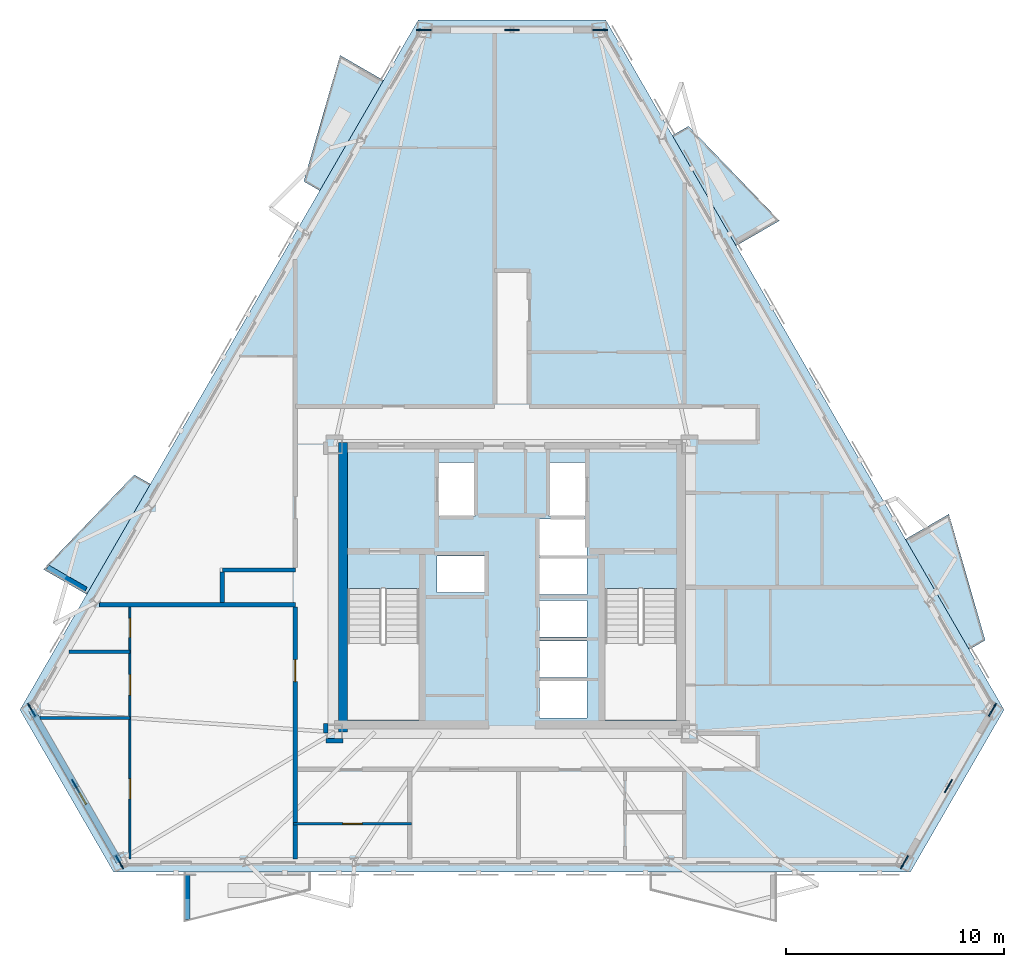
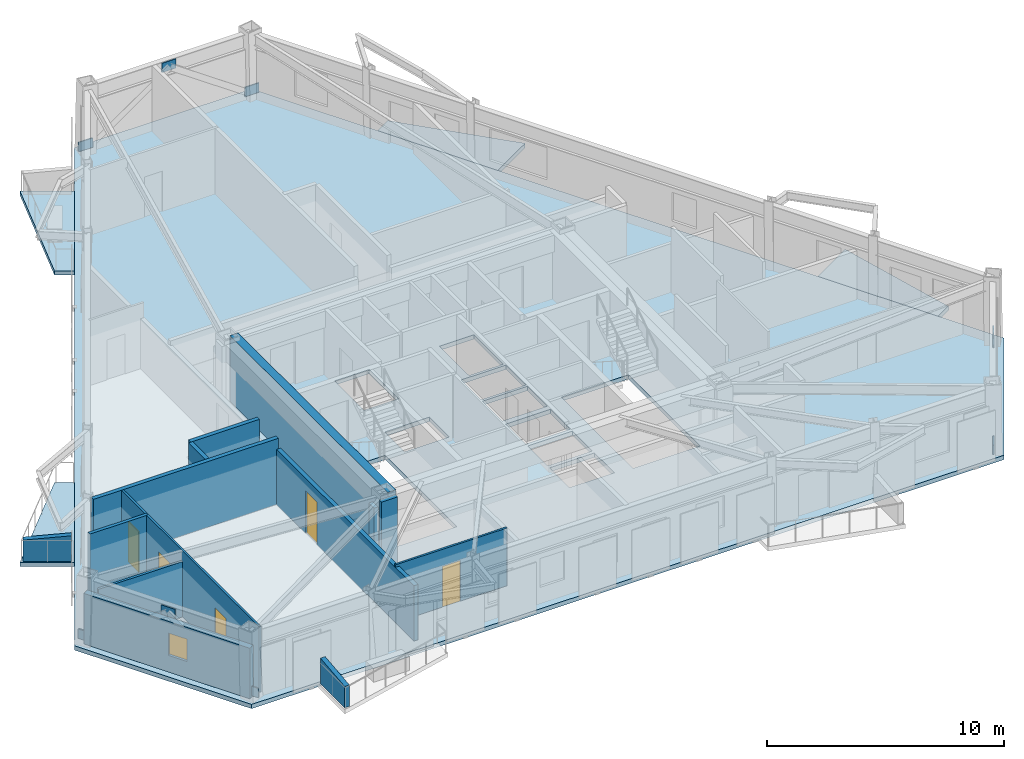
# One storey, part 3 of 10: 14 walls, 9 plates, 5 doors, 5 slabs, 1 window, 6 openings.
"""IFC4 building model written with IfcOpenShell, lengths in metres."""

import ifcopenshell
import ifcopenshell.guid

model = None  # the IFC model being written
_history = None  # IfcOwnerHistory: only IFC2X3 demands one
_inside = {}  # id of a spatial element -> (the spatial element, [elements in it])
_under = {}  # id of a project, library or spatial element -> (it, [spatial elements below it])
_declared = {}  # id of a project -> (the project, [libraries it declares])
_typed = {}  # id of a type object -> (the type object, [elements of that type])
_made_of = {}  # id of a material, layer set ... -> (it, [elements and type objects made of it])


def new_model(schema):
    """Start an empty IFC model of exactly this schema.

    Asked for "IFC4X3", IfcOpenShell would pick the latest addendum, in which some entities
    have other attributes; the version numbers below select the first issue.
    IFC2X3 requires an IfcOwnerHistory on every rooted entity: one is made here for all.
    """
    global model, _history
    if schema == "IFC4X3":
        model = ifcopenshell.file(schema_version=(4, 3, 0, 0))
    else:
        model = ifcopenshell.file(schema=schema)
    _inside.clear()
    _under.clear()
    _declared.clear()
    _typed.clear()
    _made_of.clear()
    _history = None
    if model.schema == "IFC2X3":
        org = make("IfcOrganization", Name="unknown")
        user = make(
            "IfcPersonAndOrganization",
            ThePerson=make("IfcPerson", FamilyName="unknown"),
            TheOrganization=org,
        )
        app = make(
            "IfcApplication",
            ApplicationDeveloper=org,
            Version="unknown",
            ApplicationFullName="unknown",
            ApplicationIdentifier="unknown",
        )
        _history = make(
            "IfcOwnerHistory",
            OwningUser=user,
            OwningApplication=app,
            ChangeAction="ADDED",
            CreationDate=0,
        )
    return model


def make(cls, **values):
    """One entity of the class cls with the attributes given. An attribute that is None is left unset."""
    return model.create_entity(
        cls, **{name: value for name, value in values.items() if value is not None}
    )


def rooted(cls, **values):
    """An entity with a GlobalId (a new one), such as an element, a storey or a relation."""
    return make(cls, GlobalId=ifcopenshell.guid.new(), OwnerHistory=_history, **values)


def si_unit(unit_type, name, prefix=None):
    """IfcSIUnit, for example si_unit("LENGTHUNIT", "METRE", prefix="MILLI")."""
    return make("IfcSIUnit", UnitType=unit_type, Prefix=prefix, Name=name)


def assignment(units):
    """IfcUnitAssignment: the units of a project."""
    return None if units is None else make("IfcUnitAssignment", Units=units)


def point(xyz):
    """IfcCartesianPoint."""
    return None if xyz is None else make("IfcCartesianPoint", Coordinates=xyz)


def direction(xyz):
    """IfcDirection."""
    return None if xyz is None else make("IfcDirection", DirectionRatios=xyz)


def frame(location, z_axis=None, x_axis=None):
    """IfcAxis2Placement3D, a coordinate frame: its origin and axes. An axis left out is left unset."""
    return make(
        "IfcAxis2Placement3D",
        Location=point(location),
        Axis=direction(z_axis),
        RefDirection=direction(x_axis),
    )


def frame_2d(location, x_axis=None):
    """IfcAxis2Placement2D, a coordinate frame in the plane: its origin and x axis."""
    return make(
        "IfcAxis2Placement2D", Location=point(location), RefDirection=direction(x_axis)
    )


def origin():
    """The frame at (0, 0, 0) with its axes left unset."""
    return frame((0.0, 0.0, 0.0))


def origin_2d():
    """The frame at (0, 0) in the plane with its x axis left unset."""
    return frame_2d((0.0, 0.0))


def place(relative_to, where):
    """IfcLocalPlacement: puts the frame where relative to a parent placement (None: the world)."""
    return make(
        "IfcLocalPlacement", PlacementRelTo=relative_to, RelativePlacement=where
    )


def context(
    kind, dimensions, precision=None, world=None, true_north=None, identifier=None
):
    """IfcGeometricRepresentationContext, for example the 3D "Model" context."""
    return make(
        "IfcGeometricRepresentationContext",
        ContextIdentifier=identifier,
        ContextType=kind,
        CoordinateSpaceDimension=dimensions,
        Precision=precision,
        WorldCoordinateSystem=world,
        TrueNorth=true_north,
    )


def subcontext(parent, identifier, kind, view, scale=None):
    """IfcGeometricRepresentationSubContext, for example "Body" below "Model"."""
    return make(
        "IfcGeometricRepresentationSubContext",
        ContextIdentifier=identifier,
        ContextType=kind,
        ParentContext=parent,
        TargetScale=scale,
        TargetView=view,
    )


def project(units=None, contexts=None):
    """IfcProject with its units and contexts."""
    return rooted(
        "IfcProject",
        Name="project",
        RepresentationContexts=contexts,
        UnitsInContext=assignment(units),
    )


def spatial(cls, under=None, at=None, **own):
    """A site, building, storey or space (cls), placed at a placement, below another one or the project."""
    s = rooted(cls, ObjectPlacement=at, **own)
    if under is not None:
        _under.setdefault(under.id(), (under, []))[1].append(s)
    return s


def polyline(points):
    """IfcPolyline through the points."""
    return make("IfcPolyline", Points=[point(p) for p in points])


def profile(cls, at=None, kind="AREA", **sizes):
    """A parametric profile (cls). Its sizes go by their IFC names, for example OverallWidth=200.0."""
    return make(cls, ProfileType=kind, Position=at, **sizes)


def rectangle(**sizes):
    """IfcRectangleProfileDef."""
    return profile("IfcRectangleProfileDef", **sizes)


def outline(outer, holes=None, kind="AREA"):
    """IfcArbitraryClosedProfileDef: a profile drawn as a closed curve; with holes, ...WithVoids."""
    if holes is None:
        return make("IfcArbitraryClosedProfileDef", ProfileType=kind, OuterCurve=outer)
    return make(
        "IfcArbitraryProfileDefWithVoids",
        ProfileType=kind,
        OuterCurve=outer,
        InnerCurves=holes,
    )


def extrude(swept, where, along, depth):
    """IfcExtrudedAreaSolid: the profile swept, set in the frame where, extruded along a direction by depth."""
    return make(
        "IfcExtrudedAreaSolid",
        SweptArea=swept,
        Position=where,
        ExtrudedDirection=direction(along),
        Depth=depth,
    )


def shape(context_of_items, identifier, shape_type, items):
    """IfcShapeRepresentation: the items that make up one representation, for example the "Body"."""
    return make(
        "IfcShapeRepresentation",
        ContextOfItems=context_of_items,
        RepresentationIdentifier=identifier,
        RepresentationType=shape_type,
        Items=items,
    )


def material(Name=None, Category=None):
    """IfcMaterial."""
    return make("IfcMaterial", Name=Name, Category=Category)


def layer(
    of_material, thickness, ventilated=None, Name=None, Category=None, Priority=None
):
    """IfcMaterialLayer: one layer of a wall or slab, of a material (None: an air gap)."""
    return make(
        "IfcMaterialLayer",
        Material=of_material,
        LayerThickness=thickness,
        IsVentilated=ventilated,
        Name=Name,
        Category=Category,
        Priority=Priority,
    )


def layer_set(layers, Name=None):
    """IfcMaterialLayerSet."""
    return make("IfcMaterialLayerSet", MaterialLayers=layers, LayerSetName=Name)


def made_of(thing, what):
    """Note that an element or type object is made of a material, layer set ...; save() writes the relation."""
    if what is not None:
        _made_of.setdefault(what.id(), (what, []))[1].append(thing)
    return thing


def type_object(cls, material=None, **own):
    """A type object (cls), such as IfcWallType, which elements share."""
    return made_of(rooted(cls, **own), material)


def element(
    cls,
    number,
    at=None,
    inside=None,
    cuts=None,
    type_object=None,
    material=None,
    context=None,
    identifier="Body",
    shape_type=None,
    held_by="IfcProductDefinitionShape",
    body=None,
    shapes=None,
    **own,
):
    """One element of the class cls, such as IfcWall. Its Tag is "e" and its number.

    at: its placement. inside: the storey or other place that contains it. cuts: it is an
    opening in that element (IfcRelVoidsElement). A single representation is given by context,
    identifier, shape_type and body (its items); several are given by shapes. held_by: the class
    of the entity that holds the representations. save() writes the other relations.
    """
    e = rooted(cls, Tag="e%d" % number, ObjectPlacement=at, **own)
    if body is not None:
        shapes = [shape(context, identifier, shape_type, body)]
    if shapes is not None:
        e.Representation = make(held_by, Representations=shapes)
    if inside is not None:
        _inside.setdefault(inside.id(), (inside, []))[1].append(e)
    if cuts is not None:
        rooted(
            "IfcRelVoidsElement", RelatingBuildingElement=cuts, RelatedOpeningElement=e
        )
    if type_object is not None:
        _typed.setdefault(type_object.id(), (type_object, []))[1].append(e)
    return made_of(e, material)


def fill(opening, filler):
    """IfcRelFillsElement: the door or window that sits in an opening."""
    return rooted(
        "IfcRelFillsElement",
        RelatingOpeningElement=opening,
        RelatedBuildingElement=filler,
    )


def aggregate(whole, parts):
    """IfcRelAggregates: a whole, such as a stair, and the parts it consists of."""
    return rooted("IfcRelAggregates", RelatingObject=whole, RelatedObjects=parts)


def save(model, path):
    """Write the relations noted so far, then the file.

    IfcRelAggregates (storeys below a building ...), IfcRelContainedInSpatialStructure (elements
    in a storey), IfcRelDefinesByType, IfcRelAssociatesMaterial and IfcRelDeclares: one each for
    every whole, place, type object, material and project.
    """
    for whole, parts in _under.values():
        aggregate(whole, parts)
    for where, things in _inside.values():
        rooted(
            "IfcRelContainedInSpatialStructure",
            RelatedElements=things,
            RelatingStructure=where,
        )
    for kind, things in _typed.values():
        rooted("IfcRelDefinesByType", RelatedObjects=things, RelatingType=kind)
    for what, things in _made_of.values():
        rooted("IfcRelAssociatesMaterial", RelatedObjects=things, RelatingMaterial=what)
    for by, libraries in _declared.values():
        rooted("IfcRelDeclares", RelatingContext=by, RelatedDefinitions=libraries)
    model.write(path)


model = new_model("IFC4")

# Units and contexts
model_context = context("Model", 3, precision=1e-05, world=origin(), true_north=direction((0.0, 1.0)))
body_context = subcontext(model_context, "Body", "Model", "MODEL_VIEW")
ifc_project = project(units=[si_unit("LENGTHUNIT", "METRE"), si_unit("AREAUNIT", "SQUARE_METRE"), si_unit("VOLUMEUNIT", "CUBIC_METRE"), si_unit("PLANEANGLEUNIT", "RADIAN"), si_unit("MASSUNIT", "GRAM", prefix="KILO")], contexts=[model_context])

# Site, building, storey
site_placement = place(None, origin())
site = spatial("IfcSite", under=ifc_project, at=site_placement, CompositionType="ELEMENT")
building_placement = place(site_placement, origin())
building = spatial("IfcBuilding", under=site, at=building_placement, Name="Oramaril Tower", CompositionType="ELEMENT")
storey_placement = place(building_placement, frame((0.0, 0.0, 181.800048828125)))
storey = spatial("IfcBuildingStorey", under=building, at=storey_placement, Name="L48", CompositionType="ELEMENT", Elevation=181.800048828125)

# Plates
ifc_material_1 = material(Name="Steel ASTM A572 Gr 50", Category="steel")
ifc_layer_1 = layer(ifc_material_1, 0.06005859375)
ifc_layer_set_1 = layer_set([ifc_layer_1], Name="PLT-G60")
plate_type = type_object("IfcPlateType", Name="PLT-G60", PredefinedType="USERDEFINED", material=ifc_layer_set_1)
for number, where, z_axis, x_axis, name in (
    (1, (17.453857421875, 8.5263671875, 2.7548828125), (0.0, 0.0, 1.0), (0.500009068969, -0.866020167749, 0.0), "L48 Chevron Brace Gusset Plate BN-1"),
    (2, (15.4345703125, 12.023681640625, 0.099853515625), (0.0, 0.0, 1.0), (0.500009068969, -0.866020167749, 0.0), "L48 Chevron Brace Gusset Plate BN-1"),
    (3, (19.47314453125, 5.02880859375, 0.099853515625), (0.0, 0.0, 1.0), (0.500009068969, -0.866020167749, 0.0), "L48 Chevron Brace Gusset Plate BN-1"),
    (4, (57.546142578125, 8.5263671875, 2.7548828125), (0.0, 0.0, 1.0), (0.500009068969, 0.866020167749, 0.0), "L48 Chevron Brace Gusset Plate BN-1"),
    (5, (55.52685546875, 5.02880859375, 0.099853515625), (0.0, 0.0, 1.0), (0.500009068969, 0.866020167749, 0.0), "L48 Chevron Brace Gusset Plate BN-1"),
    (6, (59.5654296875, 12.023681640625, 0.099853515625), (0.0, 0.0, 1.0), (0.500009068969, 0.866020167749, 0.0), "L48 Chevron Brace Gusset Plate BN-1"),
    (7, (37.5, 43.247314453125, 2.7548828125), (0.0, 0.0, 1.0), (-1.0, 0.0, 0.0), "L48 Chevron Brace Gusset Plate BN-1"),
    (8, (41.53857421875, 43.247314453125, 0.099853515625), (0.0, 0.0, 1.0), (-1.0, 0.0, 0.0), "L48 Chevron Brace Gusset Plate BN-1"),
    (9, (33.46142578125, 43.247314453125, 0.099853515625), (0.0, 0.0, 1.0), (-1.0, 0.0, 0.0), "L48 Chevron Brace Gusset Plate BN-1"),
):
    element("IfcPlate", number, at=place(storey_placement, frame(where, z_axis=z_axis, x_axis=x_axis)), inside=storey, type_object=plate_type, Name=name, ObjectType="GUSSET", PredefinedType="USERDEFINED", context=body_context, shape_type="SweptSolid", body=[
        extrude(rectangle(XDim=0.679931640625, YDim=0.06005859375, at=origin_2d()), origin(), (0.0, 0.0, 1.0), 0.47998046875),
    ])

# Slabs
ifc_material_2 = material(Name="Concrete C40/50", Category="concrete")
ifc_layer_2 = layer(ifc_material_2, 0.199951171875)
ifc_layer_set_2 = layer_set([ifc_layer_2], Name="SLT-BAL20")
slab_type_1 = type_object("IfcSlabType", Name="SLT-BAL20", PredefinedType="FLOOR", material=ifc_layer_set_2)
slab_1_placement = place(storey_placement, frame((0.0, 0.0, -0.219970703125)))
element("IfcSlab", 10, at=slab_1_placement, inside=storey, type_object=slab_type_1, Name="L48 Cantilevered Balcony Slab L48-BAL-NE1", PredefinedType="FLOOR", context=body_context, shape_type="SweptSolid", body=[
    extrude(outline(polyline([(58.494873046875, 14.794189453125), (55.56982421875, 19.8603515625), (57.5634765625, 21.01123046875), (59.232666015625, 15.22021484375), (58.494873046875, 14.794189453125)])), origin(), (0.0, 0.0, 1.0), 0.219970703125),
])
slab_2_placement = place(storey_placement, frame((0.0, 0.0, -0.219970703125)))
element("IfcSlab", 11, at=slab_2_placement, inside=storey, type_object=slab_type_1, Name="L48 Cantilevered Balcony Slab L48-BAL-NW2", PredefinedType="FLOOR", context=body_context, shape_type="SweptSolid", body=[
    extrude(outline(polyline([(20.892578125, 22.3935546875), (17.967529296875, 17.3271484375), (15.97412109375, 18.478271484375), (20.15478515625, 22.819580078125), (20.892578125, 22.3935546875)])), origin(), (0.0, 0.0, 1.0), 0.219970703125),
])
ifc_material_3 = material(Name="Concrete C50/60", Category="concrete")
ifc_layer_3 = layer(ifc_material_3, 0.219970703125)
ifc_layer_set_3 = layer_set([ifc_layer_3], Name="SLT-FLR22")
slab_type_2 = type_object("IfcSlabType", Name="SLT-FLR22", PredefinedType="FLOOR", material=ifc_layer_set_3)
slab_3_placement = place(storey_placement, frame((0.0, 0.0, -0.219970703125)))
element("IfcSlab", 12, at=slab_3_placement, inside=storey, type_object=slab_type_2, Name="L48 Structural Floor Slab", PredefinedType="FLOOR", context=body_context, shape_type="SweptSolid", body=[
    extrude(outline(polyline([(14.9033203125, 12.023681640625), (19.20751953125, 4.56884765625), (55.79248046875, 4.56884765625), (60.0966796875, 12.023681640625), (41.80419921875, 43.707275390625), (33.19580078125, 43.707275390625), (14.9033203125, 12.023681640625)]), holes=[polyline([(29.949951171875, 17.58935546875), (29.949951171875, 11.550048828125), (33.219970703125, 11.550048828125), (33.219970703125, 17.58935546875), (29.949951171875, 17.58935546875)]), polyline([(41.780029296875, 17.58935546875), (41.780029296875, 11.550048828125), (45.050048828125, 11.550048828125), (45.050048828125, 17.58935546875), (41.780029296875, 17.58935546875)]), polyline([(34.110107421875, 20.909912109375), (35.7900390625, 20.909912109375), (35.7900390625, 23.389892578125), (34.110107421875, 23.389892578125), (34.110107421875, 20.909912109375)]), polyline([(39.2099609375, 20.909912109375), (40.889892578125, 20.909912109375), (40.889892578125, 23.389892578125), (39.2099609375, 23.389892578125), (39.2099609375, 20.909912109375)]), polyline([(38.760009765625, 11.659912109375), (40.93994140625, 11.659912109375), (40.93994140625, 13.340087890625), (38.760009765625, 13.340087890625), (38.760009765625, 11.659912109375)]), polyline([(38.760009765625, 13.510009765625), (40.93994140625, 13.510009765625), (40.93994140625, 15.18994140625), (38.760009765625, 15.18994140625), (38.760009765625, 13.510009765625)]), polyline([(38.760009765625, 15.360107421875), (40.93994140625, 15.360107421875), (40.93994140625, 17.0400390625), (38.760009765625, 17.0400390625), (38.760009765625, 15.360107421875)]), polyline([(34.06005859375, 17.409912109375), (36.239990234375, 17.409912109375), (36.239990234375, 19.090087890625), (34.06005859375, 19.090087890625), (34.06005859375, 17.409912109375)]), polyline([(38.760009765625, 17.31005859375), (40.93994140625, 17.31005859375), (40.93994140625, 18.989990234375), (38.760009765625, 18.989990234375), (38.760009765625, 17.31005859375)]), polyline([(38.760009765625, 19.110107421875), (40.93994140625, 19.110107421875), (40.93994140625, 20.7900390625), (38.760009765625, 20.7900390625), (38.760009765625, 19.110107421875)])]), origin(), (0.0, 0.0, 1.0), 0.219970703125),
])
ifc_material_4 = material(Name="Concrete C40/50", Category="concrete")
ifc_layer_4 = layer(ifc_material_4, 0.18994140625)
ifc_layer_set_4 = layer_set([ifc_layer_4], Name="SLT-PLN19")
slab_type_3 = type_object("IfcSlabType", Name="SLT-PLN19", PredefinedType="FLOOR", material=ifc_layer_set_4)
slab_4_placement = place(storey_placement, frame((0.0, 0.0, -0.219970703125)))
element("IfcSlab", 13, at=slab_4_placement, inside=storey, type_object=slab_type_3, Name="L48 Tree Planter Balcony Slab L48-BAL-NE2", PredefinedType="FLOOR", context=body_context, shape_type="SweptSolid", body=[
    extrude(outline(polyline([(47.789794921875, 33.335693359375), (44.864990234375, 38.40185546875), (45.602783203125, 38.827880859375), (49.783447265625, 34.486572265625), (47.789794921875, 33.335693359375)])), origin(), (0.0, 0.0, 1.0), 0.219970703125),
])
slab_5_placement = place(storey_placement, frame((0.0, 0.0, -0.219970703125)))
element("IfcSlab", 14, at=slab_5_placement, inside=storey, type_object=slab_type_3, Name="L48 Tree Planter Balcony Slab L48-BAL-NW1", PredefinedType="FLOOR", context=body_context, shape_type="SweptSolid", body=[
    extrude(outline(polyline([(31.59765625, 40.93505859375), (28.672607421875, 35.868896484375), (27.934814453125, 36.294921875), (29.60400390625, 42.0859375), (31.59765625, 40.93505859375)])), origin(), (0.0, 0.0, 1.0), 0.219970703125),
])

# Wall, opening, window
ifc_material_5 = material(Name="Warm Cream Limestone", Category="masonry")
ifc_layer_5 = layer(ifc_material_5, 0.2900390625)
ifc_layer_set_5 = layer_set([ifc_layer_5], Name="WT-EXT29")
wall_type_1 = type_object("IfcWallType", Name="WT-EXT29", PredefinedType="SOLIDWALL", material=ifc_layer_set_5)
wall_1_placement = place(storey_placement, frame((15.4345703125, 12.023681640625, 0.0), z_axis=(0.0, 0.0, 1.0), x_axis=(0.500007649659, -0.866020987207, 0.0)))
wall_1 = element("IfcWall", 15, at=wall_1_placement, inside=storey, type_object=wall_type_1, Name="L48 Tower Limestone Facade Wall 1M", PredefinedType="SOLIDWALL", context=body_context, shape_type="SweptSolid", body=[
    extrude(rectangle(XDim=8.076904296875, YDim=0.2900390625, at=frame_2d((4.03857421875, 0.0))), origin(), (0.0, 0.0, 1.0), 2.599853515625),
])
opening_1_placement = place(wall_1_placement, frame((4.10791015625, 0.0, 0.85009765625)))
opening_1 = element("IfcOpeningElement", 16, at=opening_1_placement, cuts=wall_1, Name="Opening WN-12", PredefinedType="OPENING", context=body_context, shape_type="SweptSolid", body=[
    extrude(rectangle(XDim=0.89990234375, YDim=1.14990234375, at=frame_2d((0.449951171875, 0.574951171875))), frame((0.0, 0.14501953125, 0.0), z_axis=(0.0, -1.0, 0.0), x_axis=(1.0, 0.0, 0.0)), (0.0, 0.0, 1.0), 0.2900390625),
])
ifc_material_6 = material(Name="Coastal Low-E Insulated Glass", Category="glass")
window_type = type_object("IfcWindowType", Name="WNT-12", PartitioningType="SINGLE_PANEL", PredefinedType="WINDOW", material=ifc_material_6)
window_placement = place(opening_1_placement, origin())
window = element("IfcWindow", 17, at=window_placement, inside=storey, type_object=window_type, Name="L48 Apartment Bedroom Window WN-12", OverallHeight=1.14990234375, OverallWidth=0.89990234375, PartitioningType="SINGLE_PANEL", PredefinedType="WINDOW", context=body_context, shape_type="SweptSolid", body=[
    extrude(rectangle(XDim=0.89990234375, YDim=1.14990234375, at=frame_2d((0.449951171875, 0.574951171875))), frame((0.0, 0.030029296875, 0.0), z_axis=(0.0, -1.0, 0.0), x_axis=(1.0, 0.0, 0.0)), (0.0, 0.0, 1.0), 0.06005859375),
])
fill(opening_1, window)

# Walls
ifc_material_7 = material(Name="Concrete C40/50", Category="concrete")
ifc_layer_6 = layer(ifc_material_7, 0.22998046875)
ifc_layer_set_6 = layer_set([ifc_layer_6], Name="WT-PRP23")
wall_type_2 = type_object("IfcWallType", Name="WT-PRP23", PredefinedType="PARAPET", material=ifc_layer_set_6)
for number, where, z_axis, x_axis, name in (
    (18, (22.587646484375, 4.430908203125, 0.0), (0.0, 0.0, 1.0), (0.0, -1.0, 0.0), "L48 Trapezoidal Balcony Frame Cheek L48-BAL-S1-L"),
    (19, (17.936279296875, 17.552978515625, 0.0), (0.0, 0.0, 1.0), (-0.86596058014, 0.500112261042, 0.0), "L48 Trapezoidal Balcony Frame Cheek L48-BAL-NW2-R"),
):
    element("IfcWall", number, at=place(storey_placement, frame(where, z_axis=z_axis, x_axis=x_axis)), inside=storey, type_object=wall_type_2, Name=name, PredefinedType="PARAPET", context=body_context, shape_type="SweptSolid", body=[
        extrude(outline(polyline([(0.0, 0.0), (2.0419921875, 0.0), (2.0419921875, 1.099853515625), (0.0, 1.320068359375), (0.0, 0.0)])), frame((0.0, 0.114990234375, 0.0), z_axis=(0.0, -1.0, 0.0), x_axis=(1.0, 0.0, 0.0)), (0.0, 0.0, 1.0), 0.22998046875),
    ])

# Wall, opening, door
ifc_material_8 = material(Name="Acoustic Gypsum Board Partition")
ifc_layer_7 = layer(ifc_material_8, 0.10009765625)
ifc_layer_set_7 = layer_set([ifc_layer_7], Name="WT-PT10")
wall_type_3 = type_object("IfcWallType", Name="WT-PT10", PredefinedType="PARTITIONING", material=ifc_layer_set_7)
wall_2_placement = place(storey_placement, frame((27.468017578125, 6.7900390625, 0.0), z_axis=(0.0, 0.0, 1.0), x_axis=(1.0, 0.0, 0.0)))
wall_2 = element("IfcWall", 20, at=wall_2_placement, inside=storey, type_object=wall_type_3, Name="L48 Interior Partition PT-10", PredefinedType="PARTITIONING", context=body_context, shape_type="SweptSolid", body=[
    extrude(rectangle(XDim=5.4140625, YDim=0.10009765625, at=frame_2d((2.70703125, 0.0))), origin(), (0.0, 0.0, 1.0), 2.966064453125),
])
opening_2_placement = place(wall_2_placement, frame((2.26708984375, 0.0, 0.0)))
opening_2 = element("IfcOpeningElement", 21, at=opening_2_placement, cuts=wall_2, Name="Opening D-L48-01", PredefinedType="OPENING", context=body_context, shape_type="SweptSolid", body=[
    extrude(rectangle(XDim=0.8798828125, YDim=2.080078125, at=frame_2d((0.43994140625, 1.0400390625))), frame((0.0, 0.050048828125, 0.0), z_axis=(0.0, -1.0, 0.0), x_axis=(1.0, 0.0, 0.0)), (0.0, 0.0, 1.0), 0.10009765625),
])
ifc_material_9 = material(Name="FSC Brazilian Freijo Hardwood", Category="wood")
door_type_1 = type_object("IfcDoorType", Name="DT-BATH", OperationType="NOTDEFINED", PredefinedType="DOOR", material=ifc_material_9)
door_1_placement = place(opening_2_placement, origin())
door_1 = element("IfcDoor", 22, at=door_1_placement, inside=storey, type_object=door_type_1, Name="L48 Flat L48-U1 Bathroom Door D-L48-01", OperationType="SINGLE_SWING_RIGHT", OverallHeight=2.080078125, OverallWidth=0.8798828125, PredefinedType="DOOR", context=body_context, shape_type="SweptSolid", body=[
    extrude(rectangle(XDim=0.8798828125, YDim=2.080078125, at=frame_2d((0.43994140625, 1.0400390625))), frame((0.0, 0.02490234375, 0.0), z_axis=(0.0, -1.0, 0.0), x_axis=(1.0, 0.0, 0.0)), (0.0, 0.0, 1.0), 0.050048828125),
])
fill(opening_2, door_1)

# Wall, openings, doors
wall_3_placement = place(storey_placement, frame((19.9599609375, 5.177978515625, 0.0), z_axis=(0.0, 0.0, 1.0), x_axis=(0.0, 1.0, 0.0)))
wall_3 = element("IfcWall", 23, at=wall_3_placement, inside=storey, type_object=wall_type_3, Name="L48 Interior Partition PT-10", PredefinedType="PARTITIONING", context=body_context, shape_type="SweptSolid", body=[
    extrude(rectangle(XDim=11.568115234375, YDim=0.10009765625, at=frame_2d((5.7841796875, 0.0))), origin(), (0.0, 0.0, 1.0), 3.3798828125),
])
opening_3_placement = place(wall_3_placement, frame((2.760009765625, 0.0, 0.0)))
opening_3 = element("IfcOpeningElement", 24, at=opening_3_placement, cuts=wall_3, Name="Opening D-L48-17", PredefinedType="OPENING", context=body_context, shape_type="SweptSolid", body=[
    extrude(rectangle(XDim=0.919921875, YDim=2.1201171875, at=frame_2d((0.4599609375, 1.06005859375))), frame((0.0, 0.050048828125, 0.0), z_axis=(0.0, -1.0, 0.0), x_axis=(1.0, 0.0, 0.0)), (0.0, 0.0, 1.0), 0.10009765625),
])
opening_4_placement = place(wall_3_placement, frame((7.518798828125, 0.0, 0.0)))
opening_4 = element("IfcOpeningElement", 25, at=opening_4_placement, cuts=wall_3, Name="Opening D-L48-18", PredefinedType="OPENING", context=body_context, shape_type="SweptSolid", body=[
    extrude(rectangle(XDim=0.949951171875, YDim=2.10009765625, at=frame_2d((0.47509765625, 1.050048828125))), frame((0.0, 0.050048828125, 0.0), z_axis=(0.0, -1.0, 0.0), x_axis=(1.0, 0.0, 0.0)), (0.0, 0.0, 1.0), 0.10009765625),
])
opening_5_placement = place(wall_3_placement, frame((10.17041015625, 0.0, 0.0)))
opening_5 = element("IfcOpeningElement", 26, at=opening_5_placement, cuts=wall_3, Name="Opening D-L48-19", PredefinedType="OPENING", context=body_context, shape_type="SweptSolid", body=[
    extrude(rectangle(XDim=0.8798828125, YDim=2.080078125, at=frame_2d((0.43994140625, 1.0400390625))), frame((0.0, 0.050048828125, 0.0), z_axis=(0.0, -1.0, 0.0), x_axis=(1.0, 0.0, 0.0)), (0.0, 0.0, 1.0), 0.10009765625),
])
door_2_placement = place(opening_5_placement, origin())
door_2 = element("IfcDoor", 27, at=door_2_placement, inside=storey, type_object=door_type_1, Name="L48 Flat L48-U3 Bathroom Door D-L48-19", OperationType="SINGLE_SWING_RIGHT", OverallHeight=2.080078125, OverallWidth=0.8798828125, PredefinedType="DOOR", context=body_context, shape_type="SweptSolid", body=[
    extrude(rectangle(XDim=0.8798828125, YDim=2.080078125, at=frame_2d((0.43994140625, 1.0400390625))), frame((0.0, 0.02490234375, 0.0), z_axis=(0.0, -1.0, 0.0), x_axis=(1.0, 0.0, 0.0)), (0.0, 0.0, 1.0), 0.050048828125),
])
fill(opening_5, door_2)
ifc_material_10 = material(Name="FSC Brazilian Freijo Hardwood", Category="wood")
door_type_2 = type_object("IfcDoorType", Name="DT-BED", OperationType="NOTDEFINED", PredefinedType="DOOR", material=ifc_material_10)
door_3_placement = place(opening_3_placement, origin())
door_3 = element("IfcDoor", 28, at=door_3_placement, inside=storey, type_object=door_type_2, Name="L48 Flat L48-U3 Master Bedroom Door D-L48-17", OperationType="SINGLE_SWING_RIGHT", OverallHeight=2.1201171875, OverallWidth=0.919921875, PredefinedType="DOOR", context=body_context, shape_type="SweptSolid", body=[
    extrude(rectangle(XDim=0.919921875, YDim=2.1201171875, at=frame_2d((0.4599609375, 1.06005859375))), frame((0.0, 0.02490234375, 0.0), z_axis=(0.0, -1.0, 0.0), x_axis=(1.0, 0.0, 0.0)), (0.0, 0.0, 1.0), 0.050048828125),
])
fill(opening_3, door_3)
ifc_material_11 = material(Name="FSC Brazilian Freijo Hardwood", Category="wood")
door_type_3 = type_object("IfcDoorType", Name="DT-STDY", OperationType="NOTDEFINED", PredefinedType="DOOR", material=ifc_material_11)
door_4_placement = place(opening_4_placement, origin())
door_4 = element("IfcDoor", 29, at=door_4_placement, inside=storey, type_object=door_type_3, Name="L48 Flat L48-U3 Kitchen Door D-L48-18", OperationType="SINGLE_SWING_LEFT", OverallHeight=2.10009765625, OverallWidth=0.949951171875, PredefinedType="DOOR", context=body_context, shape_type="SweptSolid", body=[
    extrude(rectangle(XDim=0.949951171875, YDim=2.10009765625, at=frame_2d((0.47509765625, 1.050048828125))), frame((0.0, 0.02490234375, 0.0), z_axis=(0.0, -1.0, 0.0), x_axis=(1.0, 0.0, 0.0)), (0.0, 0.0, 1.0), 0.050048828125),
])
fill(opening_4, door_4)

# Walls
ifc_material_12 = material(Name="Acoustic Gypsum Board Partition")
ifc_layer_8 = layer(ifc_material_12, 0.1201171875)
ifc_layer_set_8 = layer_set([ifc_layer_8], Name="WT-PT12")
wall_type_4 = type_object("IfcWallType", Name="WT-PT12", PredefinedType="PARTITIONING", material=ifc_layer_set_8)
wall_4_placement = place(storey_placement, frame((15.822998046875, 11.64990234375, 0.0), z_axis=(0.0, 0.0, 1.0), x_axis=(1.0, 0.0, 0.0)))
element("IfcWall", 30, at=wall_4_placement, inside=storey, type_object=wall_type_4, Name="L48 Interior Partition PT-12", PredefinedType="PARTITIONING", context=body_context, shape_type="SweptSolid", body=[
    extrude(rectangle(XDim=4.134765625, YDim=0.1201171875, at=frame_2d((2.0673828125, 0.0))), origin(), (0.0, 0.0, 1.0), 2.842041015625),
])
ifc_material_13 = material(Name="Acoustic Gypsum Board Partition")
ifc_layer_9 = layer(ifc_material_13, 0.159912109375)
ifc_layer_set_9 = layer_set([ifc_layer_9], Name="WT-PT16")
wall_type_5 = type_object("IfcWallType", Name="WT-PT16", PredefinedType="PARTITIONING", material=ifc_layer_set_9)
wall_5_placement = place(storey_placement, frame((17.15185546875, 14.699951171875, 0.0), z_axis=(0.0, 0.0, 1.0), x_axis=(1.0, 0.0, 0.0)))
element("IfcWall", 31, at=wall_5_placement, inside=storey, type_object=wall_type_5, Name="L48 Interior Partition PT-16", PredefinedType="PARTITIONING", context=body_context, shape_type="SweptSolid", body=[
    extrude(rectangle(XDim=2.805908203125, YDim=0.159912109375, at=frame_2d((1.40283203125, 0.0))), origin(), (0.0, 0.0, 1.0), 3.3798828125),
])
ifc_material_14 = material(Name="Autoclaved Cellular Concrete Block", Category="concrete")
ifc_layer_10 = layer(ifc_material_14, 0.199951171875)
ifc_layer_set_10 = layer_set([ifc_layer_10], Name="WT-PT20")
wall_type_6 = type_object("IfcWallType", Name="WT-PT20", PredefinedType="PARTITIONING", material=ifc_layer_set_10)
wall_6_placement = place(storey_placement, frame((28.9599609375, 10.610107421875, 0.0), z_axis=(0.0, 0.0, 1.0), x_axis=(1.0, 0.0, 0.0)))
element("IfcWall", 32, at=wall_6_placement, inside=storey, type_object=wall_type_6, Name="L48 Interior Partition PT-20", PredefinedType="PARTITIONING", context=body_context, shape_type="SweptSolid", body=[
    extrude(rectangle(XDim=0.780029296875, YDim=0.199951171875, at=frame_2d((0.39013671875, 0.0))), origin(), (0.0, 0.0, 1.0), 3.3798828125),
])
wall_7_placement = place(storey_placement, frame((18.552734375, 16.85009765625, 0.0), z_axis=(0.0, 0.0, 1.0), x_axis=(1.0, 0.0, 0.0)))
element("IfcWall", 33, at=wall_7_placement, inside=storey, type_object=wall_type_6, Name="L48 Interior Partition PT-20", PredefinedType="PARTITIONING", context=body_context, shape_type="SweptSolid", body=[
    extrude(rectangle(XDim=8.997314453125, YDim=0.199951171875, at=frame_2d((4.49853515625, 0.0))), origin(), (0.0, 0.0, 1.0), 3.3798828125),
])
wall_8_placement = place(storey_placement, frame((24.199951171875, 18.449951171875, 0.0), z_axis=(0.0, 0.0, 1.0), x_axis=(1.0, 0.0, 0.0)))
element("IfcWall", 34, at=wall_8_placement, inside=storey, type_object=wall_type_6, Name="L48 Interior Partition PT-20", PredefinedType="PARTITIONING", context=body_context, shape_type="SweptSolid", body=[
    extrude(rectangle(XDim=3.35009765625, YDim=0.199951171875, at=frame_2d((1.675048828125, 0.0))), origin(), (0.0, 0.0, 1.0), 3.3798828125),
])
wall_9_placement = place(storey_placement, frame((24.199951171875, 16.9541015625, 0.0), z_axis=(0.0, 0.0, 1.0), x_axis=(0.0, 1.0, 0.0)))
element("IfcWall", 35, at=wall_9_placement, inside=storey, type_object=wall_type_6, Name="L48 Interior Partition PT-20", PredefinedType="PARTITIONING", context=body_context, shape_type="SweptSolid", body=[
    extrude(rectangle(XDim=1.391845703125, YDim=0.199951171875, at=frame_2d((0.69580078125, 0.0))), origin(), (0.0, 0.0, 1.0), 3.3798828125),
])

# Wall, opening, door
wall_10_placement = place(storey_placement, frame((27.550048828125, 5.177978515625, 0.0), z_axis=(0.0, 0.0, 1.0), x_axis=(0.0, 1.0, 0.0)))
wall_10 = element("IfcWall", 36, at=wall_10_placement, inside=storey, type_object=wall_type_6, Name="L48 Interior Partition PT-20", PredefinedType="PARTITIONING", context=body_context, shape_type="SweptSolid", body=[
    extrude(rectangle(XDim=11.568115234375, YDim=0.199951171875, at=frame_2d((5.7841796875, 0.0))), origin(), (0.0, 0.0, 1.0), 2.842041015625),
])
opening_6_placement = place(wall_10_placement, frame((8.147705078125, 0.0, 0.0)))
opening_6 = element("IfcOpeningElement", 37, at=opening_6_placement, cuts=wall_10, Name="Opening D-L48-20", PredefinedType="OPENING", context=body_context, shape_type="SweptSolid", body=[
    extrude(rectangle(XDim=1.0, YDim=2.179931640625, at=frame_2d((0.5, 1.08984375))), frame((0.0, 0.10009765625, 0.0), z_axis=(0.0, -1.0, 0.0), x_axis=(1.0, 0.0, 0.0)), (0.0, 0.0, 1.0), 0.199951171875),
])
ifc_material_15 = material(Name="FSC Brazilian Freijo Hardwood", Category="wood")
door_type_4 = type_object("IfcDoorType", Name="DT-APT", OperationType="NOTDEFINED", PredefinedType="DOOR", material=ifc_material_15)
door_5_placement = place(opening_6_placement, origin())
door_5 = element("IfcDoor", 38, at=door_5_placement, inside=storey, type_object=door_type_4, Name="L48 Flat L48-U3 Penthouse Living and Dining Room Door D-L48-20", OperationType="SINGLE_SWING_LEFT", OverallHeight=2.179931640625, OverallWidth=1.0, PredefinedType="DOOR", context=body_context, shape_type="SweptSolid", body=[
    extrude(rectangle(XDim=1.0, YDim=2.179931640625, at=frame_2d((0.5, 1.08984375))), frame((0.0, 0.02490234375, 0.0), z_axis=(0.0, -1.0, 0.0), x_axis=(1.0, 0.0, 0.0)), (0.0, 0.0, 1.0), 0.050048828125),
])
fill(opening_6, door_5)

# Walls
wall_11_placement = place(storey_placement, frame((28.949951171875, 10.949951171875, 0.0), z_axis=(0.0, 0.0, 1.0), x_axis=(0.0, 1.0, 0.0)))
element("IfcWall", 39, at=wall_11_placement, inside=storey, type_object=wall_type_6, Name="L48 Interior Partition PT-20", PredefinedType="PARTITIONING", context=body_context, shape_type="SweptSolid", body=[
    extrude(rectangle(XDim=0.445068359375, YDim=0.199951171875, at=frame_2d((0.22265625, 0.0))), origin(), (0.0, 0.0, 1.0), 2.842041015625),
])
ifc_material_16 = material(Name="Concrete C50/60", Category="concrete")
ifc_layer_11 = layer(ifc_material_16, 0.39990234375)
ifc_layer_set_11 = layer_set([ifc_layer_11], Name="WT-SH40")
wall_type_7 = type_object("IfcWallType", Name="WT-SH40", PredefinedType="SHEAR", material=ifc_layer_set_11)
wall_12_placement = place(storey_placement, frame((29.739990234375, 11.0, 0.0), z_axis=(0.0, 0.0, 1.0), x_axis=(0.0, 1.0, 0.0)))
element("IfcWall", 40, at=wall_12_placement, inside=storey, type_object=wall_type_7, Name="L48 Core Shear Wall CW-W", PredefinedType="SHEAR", context=body_context, shape_type="SweptSolid", body=[
    extrude(rectangle(XDim=13.300048828125, YDim=0.39990234375, at=frame_2d((6.64990234375, 0.0))), origin(), (0.0, 0.0, 1.0), 3.3798828125),
])

save(model, "model.ifc")
